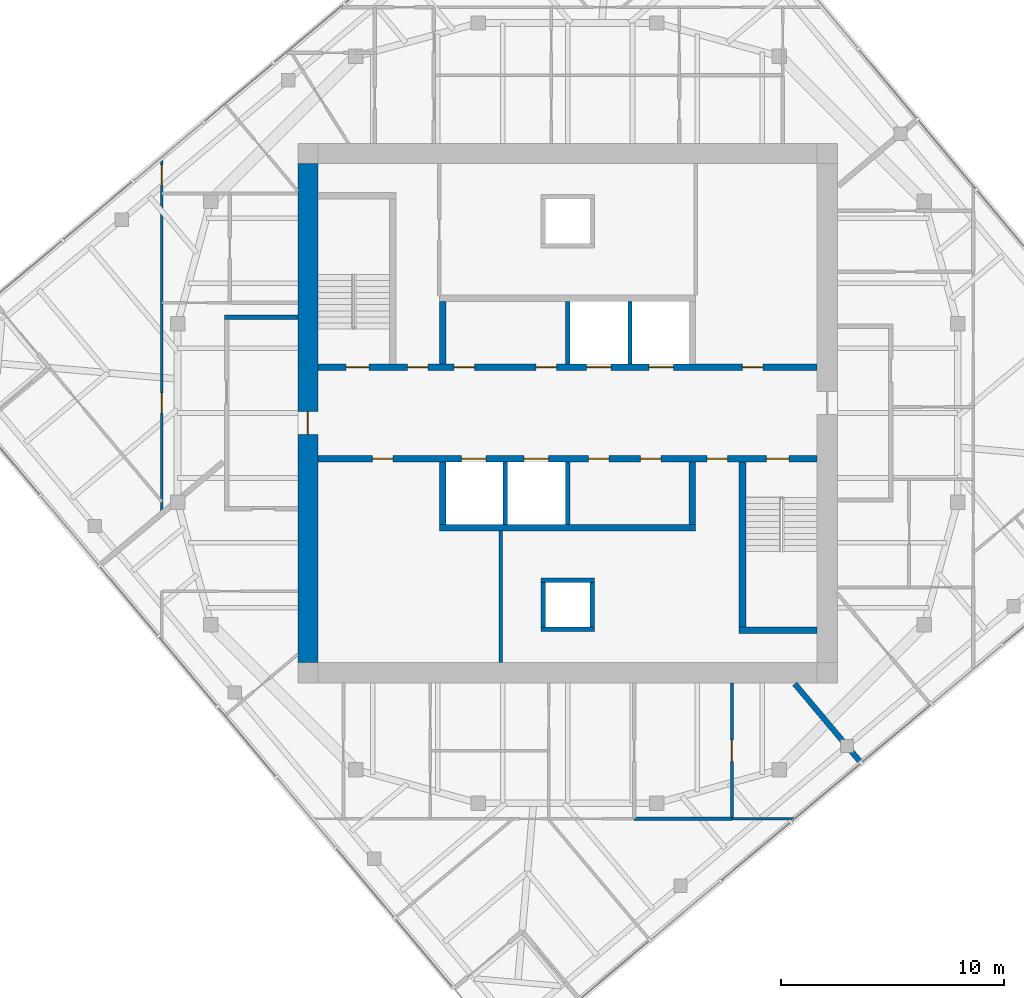
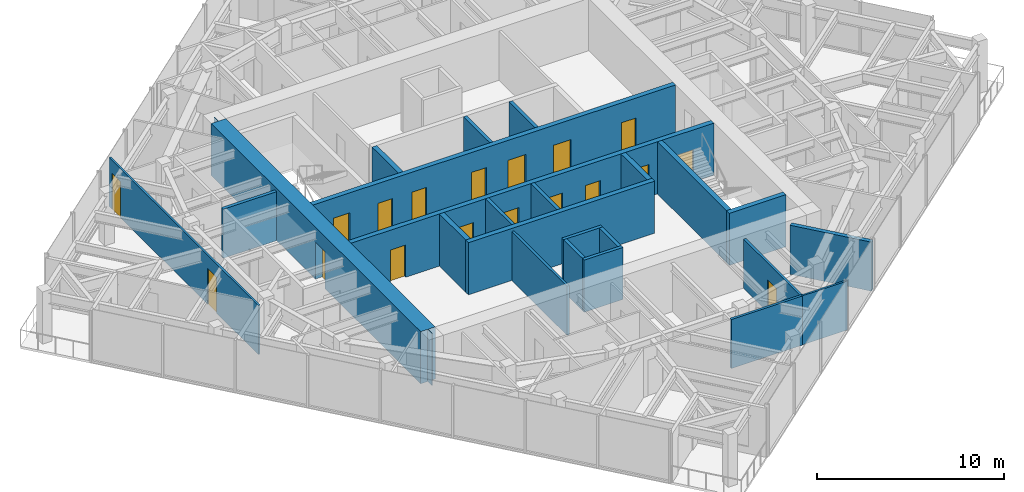
# One storey, part 8 of 12: 24 walls, 18 doors, 18 openings.
"""IFC4 building model written with IfcOpenShell, lengths in metres."""

from ifc_helpers import new_model, si_unit, direction, frame, frame_2d, origin, place, context, subcontext, project, spatial, polyline, rectangle, outline, extrude, material, layer, layer_set, type_object, element, fill, save


model = new_model("IFC4")

# Units and contexts
model_context = context("Model", 3, precision=1e-05, world=origin(), true_north=direction((0.0, 1.0)))
body_context = subcontext(model_context, "Body", "Model", "MODEL_VIEW")
ifc_project = project(units=[si_unit("LENGTHUNIT", "METRE"), si_unit("AREAUNIT", "SQUARE_METRE"), si_unit("VOLUMEUNIT", "CUBIC_METRE"), si_unit("PLANEANGLEUNIT", "RADIAN"), si_unit("MASSUNIT", "GRAM", prefix="KILO")], contexts=[model_context])

# Site, building, storey
site_placement = place(None, origin())
site = spatial("IfcSite", under=ifc_project, at=site_placement, CompositionType="ELEMENT")
building_placement = place(site_placement, origin())
building = spatial("IfcBuilding", under=site, at=building_placement, Name="Torsade Residences", CompositionType="ELEMENT")
storey_placement = place(building_placement, frame((0.0, 0.0, 296.39990234375)))
storey = spatial("IfcBuildingStorey", under=building, at=storey_placement, Name="L82", CompositionType="ELEMENT", Elevation=296.39990234375)

# Wall, openings, doors
ifc_material_1 = material(Name="Concrete 80 MPa", Category="concrete")
ifc_layer_1 = layer(ifc_material_1, 0.300048828125)
ifc_layer_set_1 = layer_set([ifc_layer_1], Name="Concrete 80 MPa")
wall_type_1 = type_object("IfcWallType", Name="CORE INTERNAL WALL 300", PredefinedType="SHEAR", material=ifc_layer_set_1)
wall_1_placement = place(storey_placement, frame((28.800048828125, 32.050048828125, 0.0), z_axis=(0.0, 0.0, 1.0), x_axis=(1.0, 0.0, 0.0)))
wall_1 = element("IfcWall", 1, at=wall_1_placement, inside=storey, type_object=wall_type_1, Name="Core wall LN L82", PredefinedType="SHEAR", context=body_context, shape_type="SweptSolid", body=[
    extrude(rectangle(XDim=22.39990234375, YDim=0.300048828125, at=frame_2d((11.199951171875, 0.0))), origin(), (0.0, 0.0, 1.0), 3.400146484375),
])
opening_1_placement = place(wall_1_placement, frame((19.0400390625, 0.0, 0.0)))
opening_1 = element("IfcOpeningElement", 2, at=opening_1_placement, cuts=wall_1, Name="Opening D06", PredefinedType="OPENING", context=body_context, shape_type="SweptSolid", body=[
    extrude(rectangle(XDim=0.919921875, YDim=2.10009765625, at=frame_2d((0.4599609375, 1.050048828125))), frame((0.0, 0.159912109375, 0.0), z_axis=(0.0, -1.0, 0.0), x_axis=(1.0, 0.0, 0.0)), (0.0, 0.0, 1.0), 0.320068359375),
])
opening_2_placement = place(wall_1_placement, frame((1.264892578125, 0.0, 0.0)))
opening_2 = element("IfcOpeningElement", 3, at=opening_2_placement, cuts=wall_1, Name="Opening D03", PredefinedType="OPENING", context=body_context, shape_type="SweptSolid", body=[
    extrude(rectangle(XDim=1.02001953125, YDim=2.10009765625, at=frame_2d((0.510009765625, 1.050048828125))), frame((0.0, 0.159912109375, 0.0), z_axis=(0.0, -1.0, 0.0), x_axis=(1.0, 0.0, 0.0)), (0.0, 0.0, 1.0), 0.320068359375),
])
opening_3_placement = place(wall_1_placement, frame((4.014892578125, 0.0, 0.0)))
opening_3 = element("IfcOpeningElement", 4, at=opening_3_placement, cuts=wall_1, Name="Opening D06", PredefinedType="OPENING", context=body_context, shape_type="SweptSolid", body=[
    extrude(rectangle(XDim=0.919921875, YDim=2.10009765625, at=frame_2d((0.4599609375, 1.050048828125))), frame((0.0, 0.159912109375, 0.0), z_axis=(0.0, -1.0, 0.0), x_axis=(1.0, 0.0, 0.0)), (0.0, 0.0, 1.0), 0.320068359375),
])
opening_4_placement = place(wall_1_placement, frame((6.114990234375, 0.0, 0.0)))
opening_4 = element("IfcOpeningElement", 5, at=opening_4_placement, cuts=wall_1, Name="Opening D06", PredefinedType="OPENING", context=body_context, shape_type="SweptSolid", body=[
    extrude(rectangle(XDim=0.919921875, YDim=2.10009765625, at=frame_2d((0.4599609375, 1.050048828125))), frame((0.0, 0.159912109375, 0.0), z_axis=(0.0, -1.0, 0.0), x_axis=(1.0, 0.0, 0.0)), (0.0, 0.0, 1.0), 0.320068359375),
])
opening_5_placement = place(wall_1_placement, frame((9.7900390625, 0.0, 0.0)))
opening_5 = element("IfcOpeningElement", 6, at=opening_5_placement, cuts=wall_1, Name="Opening D06", PredefinedType="OPENING", context=body_context, shape_type="SweptSolid", body=[
    extrude(rectangle(XDim=0.919921875, YDim=2.10009765625, at=frame_2d((0.4599609375, 1.050048828125))), frame((0.0, 0.159912109375, 0.0), z_axis=(0.0, -1.0, 0.0), x_axis=(1.0, 0.0, 0.0)), (0.0, 0.0, 1.0), 0.320068359375),
])
opening_6_placement = place(wall_1_placement, frame((12.050048828125, 0.0, 0.0)))
opening_6 = element("IfcOpeningElement", 7, at=opening_6_placement, cuts=wall_1, Name="Opening LD", PredefinedType="OPENING", context=body_context, shape_type="SweptSolid", body=[
    extrude(rectangle(XDim=1.10009765625, YDim=2.10009765625, at=frame_2d((0.550048828125, 1.050048828125))), frame((0.0, 0.159912109375, 0.0), z_axis=(0.0, -1.0, 0.0), x_axis=(1.0, 0.0, 0.0)), (0.0, 0.0, 1.0), 0.320068359375),
])
opening_7_placement = place(wall_1_placement, frame((14.85009765625, 0.0, 0.0)))
opening_7 = element("IfcOpeningElement", 8, at=opening_7_placement, cuts=wall_1, Name="Opening LD", PredefinedType="OPENING", context=body_context, shape_type="SweptSolid", body=[
    extrude(rectangle(XDim=1.10009765625, YDim=2.10009765625, at=frame_2d((0.550048828125, 1.050048828125))), frame((0.0, 0.159912109375, 0.0), z_axis=(0.0, -1.0, 0.0), x_axis=(1.0, 0.0, 0.0)), (0.0, 0.0, 1.0), 0.320068359375),
])
ifc_material_2 = material(Name="Steel-framed fire door", Category="steel")
door_type_1 = type_object("IfcDoorType", Name="FIRE DOOR 1020", OperationType="NOTDEFINED", PredefinedType="DOOR", material=ifc_material_2)
door_1_placement = place(opening_2_placement, origin())
door_1 = element("IfcDoor", 9, at=door_1_placement, inside=storey, type_object=door_type_1, Name="Exit door to fire-isolated stair ST1 L82", OperationType="SINGLE_SWING_RIGHT", OverallHeight=2.10009765625, OverallWidth=1.02001953125, PredefinedType="DOOR", context=body_context, shape_type="SweptSolid", body=[
    extrude(rectangle(XDim=1.02001953125, YDim=2.10009765625, at=frame_2d((0.510009765625, 1.050048828125))), frame((0.0, 0.02490234375, 0.0), z_axis=(0.0, -1.0, 0.0), x_axis=(1.0, 0.0, 0.0)), (0.0, 0.0, 1.0), 0.050048828125),
])
fill(opening_2, door_1)
ifc_material_3 = material(Name="Steel-framed fire door", Category="steel")
door_type_2 = type_object("IfcDoorType", Name="FIRE DOOR 920", OperationType="NOTDEFINED", PredefinedType="DOOR", material=ifc_material_3)
door_2_placement = place(opening_1_placement, origin())
door_2 = element("IfcDoor", 10, at=door_2_placement, inside=storey, type_object=door_type_2, Name="Door Lift lobby to Refuse room", OperationType="SINGLE_SWING_LEFT", OverallHeight=2.10009765625, OverallWidth=0.919921875, PredefinedType="DOOR", context=body_context, shape_type="SweptSolid", body=[
    extrude(rectangle(XDim=0.919921875, YDim=2.10009765625, at=frame_2d((0.4599609375, 1.050048828125))), frame((0.0, 0.02490234375, 0.0), z_axis=(0.0, -1.0, 0.0), x_axis=(1.0, 0.0, 0.0)), (0.0, 0.0, 1.0), 0.050048828125),
])
fill(opening_1, door_2)
door_3_placement = place(opening_3_placement, origin())
door_3 = element("IfcDoor", 11, at=door_3_placement, inside=storey, type_object=door_type_2, Name="Door Lift lobby to Main switchboard store", OperationType="SINGLE_SWING_LEFT", OverallHeight=2.10009765625, OverallWidth=0.919921875, PredefinedType="DOOR", context=body_context, shape_type="SweptSolid", body=[
    extrude(rectangle(XDim=0.919921875, YDim=2.10009765625, at=frame_2d((0.4599609375, 1.050048828125))), frame((0.0, 0.02490234375, 0.0), z_axis=(0.0, -1.0, 0.0), x_axis=(1.0, 0.0, 0.0)), (0.0, 0.0, 1.0), 0.050048828125),
])
fill(opening_3, door_3)
door_4_placement = place(opening_4_placement, origin())
door_4 = element("IfcDoor", 12, at=door_4_placement, inside=storey, type_object=door_type_2, Name="Door Lift lobby to Cleaners store L82A", OperationType="SINGLE_SWING_LEFT", OverallHeight=2.10009765625, OverallWidth=0.919921875, PredefinedType="DOOR", context=body_context, shape_type="SweptSolid", body=[
    extrude(rectangle(XDim=0.919921875, YDim=2.10009765625, at=frame_2d((0.4599609375, 1.050048828125))), frame((0.0, 0.02490234375, 0.0), z_axis=(0.0, -1.0, 0.0), x_axis=(1.0, 0.0, 0.0)), (0.0, 0.0, 1.0), 0.050048828125),
])
fill(opening_4, door_4)
door_5_placement = place(opening_5_placement, origin())
door_5 = element("IfcDoor", 13, at=door_5_placement, inside=storey, type_object=door_type_2, Name="Door Lift lobby to Cleaners store L82A", OperationType="SINGLE_SWING_RIGHT", OverallHeight=2.10009765625, OverallWidth=0.919921875, PredefinedType="DOOR", context=body_context, shape_type="SweptSolid", body=[
    extrude(rectangle(XDim=0.919921875, YDim=2.10009765625, at=frame_2d((0.4599609375, 1.050048828125))), frame((0.0, 0.02490234375, 0.0), z_axis=(0.0, -1.0, 0.0), x_axis=(1.0, 0.0, 0.0)), (0.0, 0.0, 1.0), 0.050048828125),
])
fill(opening_5, door_5)
ifc_material_4 = material(Name="Stainless steel lift landing door", Category="steel")
door_type_3 = type_object("IfcDoorType", Name="LIFT LANDING DOOR 1100", OperationType="SLIDING_TO_LEFT", PredefinedType="DOOR", material=ifc_material_4)
door_6_placement = place(opening_6_placement, origin())
door_6 = element("IfcDoor", 14, at=door_6_placement, inside=storey, type_object=door_type_3, Name="Lift LA3 landing door L82", OperationType="SLIDING_TO_LEFT", OverallHeight=2.10009765625, OverallWidth=1.10009765625, PredefinedType="DOOR", context=body_context, shape_type="SweptSolid", body=[
    extrude(rectangle(XDim=1.10009765625, YDim=2.10009765625, at=frame_2d((0.550048828125, 1.050048828125))), frame((0.0, 0.02490234375, 0.0), z_axis=(0.0, -1.0, 0.0), x_axis=(1.0, 0.0, 0.0)), (0.0, 0.0, 1.0), 0.050048828125),
])
fill(opening_6, door_6)
door_7_placement = place(opening_7_placement, origin())
door_7 = element("IfcDoor", 15, at=door_7_placement, inside=storey, type_object=door_type_3, Name="Lift FL1 landing door L82", OperationType="SLIDING_TO_LEFT", OverallHeight=2.10009765625, OverallWidth=1.10009765625, PredefinedType="DOOR", context=body_context, shape_type="SweptSolid", body=[
    extrude(rectangle(XDim=1.10009765625, YDim=2.10009765625, at=frame_2d((0.550048828125, 1.050048828125))), frame((0.0, 0.02490234375, 0.0), z_axis=(0.0, -1.0, 0.0), x_axis=(1.0, 0.0, 0.0)), (0.0, 0.0, 1.0), 0.050048828125),
])
fill(opening_7, door_7)

wall_2_placement = place(storey_placement, frame((51.199951171875, 27.949951171875, 0.0), z_axis=(0.0, 0.0, 1.0), x_axis=(-1.0, 0.0, 0.0)))
wall_2 = element("IfcWall", 16, at=wall_2_placement, inside=storey, type_object=wall_type_1, Name="Core wall LS L82", PredefinedType="SHEAR", context=body_context, shape_type="SweptSolid", body=[
    extrude(rectangle(XDim=22.39990234375, YDim=0.300048828125, at=frame_2d((11.199951171875, 0.0))), origin(), (0.0, 0.0, 1.0), 3.400146484375),
])
opening_8_placement = place(wall_2_placement, frame((19.0400390625, 0.0, 0.0)))
opening_8 = element("IfcOpeningElement", 17, at=opening_8_placement, cuts=wall_2, Name="Opening D06", PredefinedType="OPENING", context=body_context, shape_type="SweptSolid", body=[
    extrude(rectangle(XDim=0.919921875, YDim=2.10009765625, at=frame_2d((0.4599609375, 1.050048828125))), frame((0.0, 0.159912109375, 0.0), z_axis=(0.0, -1.0, 0.0), x_axis=(1.0, 0.0, 0.0)), (0.0, 0.0, 1.0), 0.320068359375),
])
opening_9_placement = place(wall_2_placement, frame((1.264892578125, 0.0, 0.0)))
opening_9 = element("IfcOpeningElement", 18, at=opening_9_placement, cuts=wall_2, Name="Opening D03", PredefinedType="OPENING", context=body_context, shape_type="SweptSolid", body=[
    extrude(rectangle(XDim=1.02001953125, YDim=2.10009765625, at=frame_2d((0.510009765625, 1.050048828125))), frame((0.0, 0.159912109375, 0.0), z_axis=(0.0, -1.0, 0.0), x_axis=(1.0, 0.0, 0.0)), (0.0, 0.0, 1.0), 0.320068359375),
])
opening_10_placement = place(wall_2_placement, frame((4.014892578125, 0.0, 0.0)))
opening_10 = element("IfcOpeningElement", 19, at=opening_10_placement, cuts=wall_2, Name="Opening D06", PredefinedType="OPENING", context=body_context, shape_type="SweptSolid", body=[
    extrude(rectangle(XDim=0.919921875, YDim=2.10009765625, at=frame_2d((0.4599609375, 1.050048828125))), frame((0.0, 0.159912109375, 0.0), z_axis=(0.0, -1.0, 0.0), x_axis=(1.0, 0.0, 0.0)), (0.0, 0.0, 1.0), 0.320068359375),
])
opening_11_placement = place(wall_2_placement, frame((9.340087890625, 0.0, 0.0)))
opening_11 = element("IfcOpeningElement", 20, at=opening_11_placement, cuts=wall_2, Name="Opening D06", PredefinedType="OPENING", context=body_context, shape_type="SweptSolid", body=[
    extrude(rectangle(XDim=0.919921875, YDim=2.10009765625, at=frame_2d((0.4599609375, 1.050048828125))), frame((0.0, 0.159912109375, 0.0), z_axis=(0.0, -1.0, 0.0), x_axis=(1.0, 0.0, 0.0)), (0.0, 0.0, 1.0), 0.320068359375),
])
opening_12_placement = place(wall_2_placement, frame((7.014892578125, 0.0, 0.0)))
opening_12 = element("IfcOpeningElement", 21, at=opening_12_placement, cuts=wall_2, Name="Opening D06", PredefinedType="OPENING", context=body_context, shape_type="SweptSolid", body=[
    extrude(rectangle(XDim=0.919921875, YDim=2.10009765625, at=frame_2d((0.4599609375, 1.050048828125))), frame((0.0, 0.159912109375, 0.0), z_axis=(0.0, -1.0, 0.0), x_axis=(1.0, 0.0, 0.0)), (0.0, 0.0, 1.0), 0.320068359375),
])
opening_13_placement = place(wall_2_placement, frame((12.050048828125, 0.0, 0.0)))
opening_13 = element("IfcOpeningElement", 22, at=opening_13_placement, cuts=wall_2, Name="Opening LD", PredefinedType="OPENING", context=body_context, shape_type="SweptSolid", body=[
    extrude(rectangle(XDim=1.10009765625, YDim=2.10009765625, at=frame_2d((0.550048828125, 1.050048828125))), frame((0.0, 0.159912109375, 0.0), z_axis=(0.0, -1.0, 0.0), x_axis=(1.0, 0.0, 0.0)), (0.0, 0.0, 1.0), 0.320068359375),
])
opening_14_placement = place(wall_2_placement, frame((14.85009765625, 0.0, 0.0)))
opening_14 = element("IfcOpeningElement", 23, at=opening_14_placement, cuts=wall_2, Name="Opening LD", PredefinedType="OPENING", context=body_context, shape_type="SweptSolid", body=[
    extrude(rectangle(XDim=1.10009765625, YDim=2.10009765625, at=frame_2d((0.550048828125, 1.050048828125))), frame((0.0, 0.159912109375, 0.0), z_axis=(0.0, -1.0, 0.0), x_axis=(1.0, 0.0, 0.0)), (0.0, 0.0, 1.0), 0.320068359375),
])
door_8_placement = place(opening_9_placement, origin())
door_8 = element("IfcDoor", 24, at=door_8_placement, inside=storey, type_object=door_type_1, Name="Exit door to fire-isolated stair ST2 L82", OperationType="SINGLE_SWING_RIGHT", OverallHeight=2.10009765625, OverallWidth=1.02001953125, PredefinedType="DOOR", context=body_context, shape_type="SweptSolid", body=[
    extrude(rectangle(XDim=1.02001953125, YDim=2.10009765625, at=frame_2d((0.510009765625, 1.050048828125))), frame((0.0, 0.02490234375, 0.0), z_axis=(0.0, -1.0, 0.0), x_axis=(1.0, 0.0, 0.0)), (0.0, 0.0, 1.0), 0.050048828125),
])
fill(opening_9, door_8)
door_9_placement = place(opening_8_placement, origin())
door_9 = element("IfcDoor", 25, at=door_9_placement, inside=storey, type_object=door_type_2, Name="Door Lift lobby to Cleaner store", OperationType="SINGLE_SWING_LEFT", OverallHeight=2.10009765625, OverallWidth=0.919921875, PredefinedType="DOOR", context=body_context, shape_type="SweptSolid", body=[
    extrude(rectangle(XDim=0.919921875, YDim=2.10009765625, at=frame_2d((0.4599609375, 1.050048828125))), frame((0.0, 0.02490234375, 0.0), z_axis=(0.0, -1.0, 0.0), x_axis=(1.0, 0.0, 0.0)), (0.0, 0.0, 1.0), 0.050048828125),
])
fill(opening_8, door_9)
door_10_placement = place(opening_10_placement, origin())
door_10 = element("IfcDoor", 26, at=door_10_placement, inside=storey, type_object=door_type_2, Name="Door Lift lobby to Communications riser room", OperationType="SINGLE_SWING_RIGHT", OverallHeight=2.10009765625, OverallWidth=0.919921875, PredefinedType="DOOR", context=body_context, shape_type="SweptSolid", body=[
    extrude(rectangle(XDim=0.919921875, YDim=2.10009765625, at=frame_2d((0.4599609375, 1.050048828125))), frame((0.0, 0.02490234375, 0.0), z_axis=(0.0, -1.0, 0.0), x_axis=(1.0, 0.0, 0.0)), (0.0, 0.0, 1.0), 0.050048828125),
])
fill(opening_10, door_10)
door_11_placement = place(opening_11_placement, origin())
door_11 = element("IfcDoor", 27, at=door_11_placement, inside=storey, type_object=door_type_2, Name="Door Lift lobby to Residents storage L82B", OperationType="SINGLE_SWING_RIGHT", OverallHeight=2.10009765625, OverallWidth=0.919921875, PredefinedType="DOOR", context=body_context, shape_type="SweptSolid", body=[
    extrude(rectangle(XDim=0.919921875, YDim=2.10009765625, at=frame_2d((0.4599609375, 1.050048828125))), frame((0.0, 0.02490234375, 0.0), z_axis=(0.0, -1.0, 0.0), x_axis=(1.0, 0.0, 0.0)), (0.0, 0.0, 1.0), 0.050048828125),
])
fill(opening_11, door_11)
door_12_placement = place(opening_12_placement, origin())
door_12 = element("IfcDoor", 28, at=door_12_placement, inside=storey, type_object=door_type_2, Name="Door Lift lobby to Residents storage L82B", OperationType="SINGLE_SWING_RIGHT", OverallHeight=2.10009765625, OverallWidth=0.919921875, PredefinedType="DOOR", context=body_context, shape_type="SweptSolid", body=[
    extrude(rectangle(XDim=0.919921875, YDim=2.10009765625, at=frame_2d((0.4599609375, 1.050048828125))), frame((0.0, 0.02490234375, 0.0), z_axis=(0.0, -1.0, 0.0), x_axis=(1.0, 0.0, 0.0)), (0.0, 0.0, 1.0), 0.050048828125),
])
fill(opening_12, door_12)
door_13_placement = place(opening_13_placement, origin())
door_13 = element("IfcDoor", 29, at=door_13_placement, inside=storey, type_object=door_type_3, Name="Lift LB3 landing door L82", OperationType="SLIDING_TO_LEFT", OverallHeight=2.10009765625, OverallWidth=1.10009765625, PredefinedType="DOOR", context=body_context, shape_type="SweptSolid", body=[
    extrude(rectangle(XDim=1.10009765625, YDim=2.10009765625, at=frame_2d((0.550048828125, 1.050048828125))), frame((0.0, 0.02490234375, 0.0), z_axis=(0.0, -1.0, 0.0), x_axis=(1.0, 0.0, 0.0)), (0.0, 0.0, 1.0), 0.050048828125),
])
fill(opening_13, door_13)
door_14_placement = place(opening_14_placement, origin())
door_14 = element("IfcDoor", 30, at=door_14_placement, inside=storey, type_object=door_type_3, Name="Lift FL2 landing door L82", OperationType="SLIDING_TO_LEFT", OverallHeight=2.10009765625, OverallWidth=1.10009765625, PredefinedType="DOOR", context=body_context, shape_type="SweptSolid", body=[
    extrude(rectangle(XDim=1.10009765625, YDim=2.10009765625, at=frame_2d((0.550048828125, 1.050048828125))), frame((0.0, 0.02490234375, 0.0), z_axis=(0.0, -1.0, 0.0), x_axis=(1.0, 0.0, 0.0)), (0.0, 0.0, 1.0), 0.050048828125),
])
fill(opening_14, door_14)

# Walls
wall_3_placement = place(storey_placement, frame((45.75, 24.85009765625, 0.0), z_axis=(0.0, 0.0, 1.0), x_axis=(-1.0, 0.0, 0.0)))
element("IfcWall", 31, at=wall_3_placement, inside=storey, type_object=wall_type_1, Name="Core wall BS L82", PredefinedType="SHEAR", context=body_context, shape_type="SweptSolid", body=[
    extrude(rectangle(XDim=11.5, YDim=0.300048828125, at=frame_2d((5.75, 0.0))), origin(), (0.0, 0.0, 1.0), 3.400146484375),
])
for number, where, z_axis, x_axis, name in (
    (32, (34.39990234375, 32.199951171875, 0.0), (0.0, 0.0, 1.0), (0.0, 1.0, 0.0), "Core wall DN0 L82"),
    (33, (45.60009765625, 27.800048828125, 0.0), (0.0, 0.0, 1.0), (0.0, -1.0, 0.0), "Core wall DS0 L82"),
    (34, (34.39990234375, 27.800048828125, 0.0), (0.0, 0.0, 1.0), (0.0, -1.0, 0.0), "Core wall DS4 L82"),
):
    element("IfcWall", number, at=place(storey_placement, frame(where, z_axis=z_axis, x_axis=x_axis)), inside=storey, type_object=wall_type_1, Name=name, PredefinedType="SHEAR", context=body_context, shape_type="SweptSolid", body=[
        extrude(rectangle(XDim=2.800048828125, YDim=0.300048828125, at=frame_2d((1.39990234375, 0.0))), origin(), (0.0, 0.0, 1.0), 3.400146484375),
    ])
wall_4_placement = place(storey_placement, frame((47.85009765625, 27.800048828125, 0.0), z_axis=(0.0, 0.0, 1.0), x_axis=(0.0, -1.0, 0.0)))
element("IfcWall", 35, at=wall_4_placement, inside=storey, type_object=wall_type_1, Name="Core wall ST2W L82", PredefinedType="SHEAR", context=body_context, shape_type="SweptSolid", body=[
    extrude(rectangle(XDim=7.699951171875, YDim=0.300048828125, at=frame_2d((3.85009765625, 0.0))), origin(), (0.0, 0.0, 1.0), 3.400146484375),
])
wall_5_placement = place(storey_placement, frame((51.199951171875, 20.25, 0.0), z_axis=(0.0, 0.0, 1.0), x_axis=(-1.0, 0.0, 0.0)))
element("IfcWall", 36, at=wall_5_placement, inside=storey, type_object=wall_type_1, Name="Core wall ST2S L82", PredefinedType="SHEAR", context=body_context, shape_type="SweptSolid", body=[
    extrude(rectangle(XDim=3.5, YDim=0.300048828125, at=frame_2d((1.75, 0.0))), origin(), (0.0, 0.0, 1.0), 3.400146484375),
])

# Wall, opening, door
ifc_material_5 = material(Name="Concrete 80 MPa", Category="concrete")
ifc_layer_2 = layer(ifc_material_5, 0.89990234375)
ifc_layer_set_2 = layer_set([ifc_layer_2], Name="Concrete 80 MPa")
wall_type_2 = type_object("IfcWallType", Name="CORE WALL 900", PredefinedType="SHEAR", material=ifc_layer_set_2)
wall_6_placement = place(storey_placement, frame((28.35009765625, 41.199951171875, 0.0), z_axis=(0.0, 0.0, 1.0), x_axis=(0.0, -1.0, 0.0)))
wall_6 = element("IfcWall", 37, at=wall_6_placement, inside=storey, type_object=wall_type_2, Name="Core wall W L82", PredefinedType="SHEAR", context=body_context, shape_type="SweptSolid", body=[
    extrude(outline(polyline([(0.0, -0.449951171875), (22.39990234375, -0.449951171875), (22.39990234375, -0.02490234375), (22.849853515625, -0.02490234375), (22.849853515625, 0.02490234375), (22.39990234375, 0.02490234375), (22.39990234375, 0.449951171875), (0.0, 0.449951171875), (0.0, 0.02490234375), (-0.449951171875, 0.02490234375), (-0.449951171875, -0.02490234375), (0.0, -0.02490234375), (0.0, -0.449951171875)])), origin(), (0.0, 0.0, 1.0), 3.400146484375),
])
opening_15_placement = place(wall_6_placement, frame((11.139892578125, 0.0, 0.0)))
opening_15 = element("IfcOpeningElement", 38, at=opening_15_placement, cuts=wall_6, Name="Opening D04", PredefinedType="OPENING", context=body_context, shape_type="SweptSolid", body=[
    extrude(rectangle(XDim=1.02001953125, YDim=2.39990234375, at=frame_2d((0.510009765625, 1.199951171875))), frame((0.0, 0.4599609375, 0.0), z_axis=(0.0, -1.0, 0.0), x_axis=(1.0, 0.0, 0.0)), (0.0, 0.0, 1.0), 0.919921875),
])
ifc_material_6 = material(Name="Steel-framed fire door", Category="steel")
door_type_4 = type_object("IfcDoorType", Name="LOBBY SMOKE DOOR 1020x2400", OperationType="NOTDEFINED", PredefinedType="DOOR", material=ifc_material_6)
door_15_placement = place(opening_15_placement, origin())
door_15 = element("IfcDoor", 39, at=door_15_placement, inside=storey, type_object=door_type_4, Name="Lift lobby door W L82", OperationType="SINGLE_SWING_RIGHT", OverallHeight=2.39990234375, OverallWidth=1.02001953125, PredefinedType="DOOR", context=body_context, shape_type="SweptSolid", body=[
    extrude(rectangle(XDim=1.02001953125, YDim=2.39990234375, at=frame_2d((0.510009765625, 1.199951171875))), frame((0.0, 0.02490234375, 0.0), z_axis=(0.0, -1.0, 0.0), x_axis=(1.0, 0.0, 0.0)), (0.0, 0.0, 1.0), 0.050048828125),
])
fill(opening_15, door_15)

# Walls
ifc_material_7 = material(Name="Plasterboard on steel stud", Category="steel")
ifc_layer_3 = layer(ifc_material_7, 0.199951171875)
ifc_layer_set_3 = layer_set([ifc_layer_3], Name="Plasterboard on steel stud")
wall_type_3 = type_object("IfcWallType", Name="CORRIDOR WALL 200", PredefinedType="PARTITIONING", material=ifc_layer_set_3)
wall_7_placement = place(storey_placement, frame((27.89990234375, 34.300048828125, 0.0), z_axis=(0.0, 0.0, 1.0), x_axis=(-1.0, 0.0, 0.0)))
element("IfcWall", 40, at=wall_7_placement, inside=storey, type_object=wall_type_3, Name="Corridor wall L82", PredefinedType="PARTITIONING", context=body_context, shape_type="SweptSolid", body=[
    extrude(rectangle(XDim=3.2998046875, YDim=0.199951171875, at=frame_2d((1.64990234375, 0.0))), origin(), (0.0, 0.0, 1.0), 3.2001953125),
])
ifc_material_8 = material(Name="Reinforced blockwork", Category="masonry")
ifc_layer_4 = layer(ifc_material_8, 0.199951171875)
ifc_layer_set_4 = layer_set([ifc_layer_4], Name="Reinforced blockwork")
wall_type_4 = type_object("IfcWallType", Name="LIFT SHAFT DIVIDING WALL 200", PredefinedType="SOLIDWALL", material=ifc_layer_set_4)
for number, where, z_axis, x_axis, name in (
    (41, (40.0, 32.199951171875, 0.0), (0.0, 0.0, 1.0), (0.0, 1.0, 0.0), "Core wall DN2 L82"),
    (42, (40.0, 27.800048828125, 0.0), (0.0, 0.0, 1.0), (0.0, -1.0, 0.0), "Core wall DS2 L82"),
    (43, (42.800048828125, 32.199951171875, 0.0), (0.0, 0.0, 1.0), (0.0, 1.0, 0.0), "Core wall DN3 L82"),
    (44, (37.199951171875, 27.800048828125, 0.0), (0.0, 0.0, 1.0), (0.0, -1.0, 0.0), "Core wall DS3 L82"),
):
    element("IfcWall", number, at=place(storey_placement, frame(where, z_axis=z_axis, x_axis=x_axis)), inside=storey, type_object=wall_type_4, Name=name, PredefinedType="SOLIDWALL", context=body_context, shape_type="SweptSolid", body=[
        extrude(rectangle(XDim=2.800048828125, YDim=0.199951171875, at=frame_2d((1.39990234375, 0.0))), origin(), (0.0, 0.0, 1.0), 3.400146484375),
    ])
ifc_material_9 = material(Name="Plasterboard on steel stud", Category="steel")
ifc_layer_5 = layer(ifc_material_9, 0.1201171875)
ifc_layer_set_5 = layer_set([ifc_layer_5], Name="Plasterboard on steel stud")
wall_type_5 = type_object("IfcWallType", Name="PARTITION 120", PredefinedType="PARTITIONING", material=ifc_layer_set_5)
wall_8_placement = place(storey_placement, frame((50.162353515625, 11.800048828125, 0.0), z_axis=(0.0, 0.0, 1.0), x_axis=(-1.0, 0.0, 0.0)))
element("IfcWall", 45, at=wall_8_placement, inside=storey, type_object=wall_type_5, Name="Partition L82", PredefinedType="PARTITIONING", context=body_context, shape_type="SweptSolid", body=[
    extrude(rectangle(XDim=2.78857421875, YDim=0.1201171875, at=frame_2d((1.394287109375, 0.0))), origin(), (0.0, 0.0, 1.0), 3.2001953125),
])

# Wall, openings, doors
wall_9_placement = place(storey_placement, frame((21.800048828125, 25.498046875, 0.0), z_axis=(0.0, 0.0, 1.0), x_axis=(0.0, 1.0, 0.0)))
wall_9 = element("IfcWall", 46, at=wall_9_placement, inside=storey, type_object=wall_type_5, Name="Partition L82", PredefinedType="PARTITIONING", context=body_context, shape_type="SweptSolid", body=[
    extrude(rectangle(XDim=15.93896484375, YDim=0.1201171875, at=frame_2d((7.969482421875, 0.0))), origin(), (0.0, 0.0, 1.0), 3.2001953125),
])
opening_16_placement = place(wall_9_placement, frame((4.48583984375, 0.0, 0.0)))
opening_16 = element("IfcOpeningElement", 47, at=opening_16_placement, cuts=wall_9, Name="Opening D02", PredefinedType="OPENING", context=body_context, shape_type="SweptSolid", body=[
    extrude(rectangle(XDim=0.919921875, YDim=2.340087890625, at=frame_2d((0.4599609375, 1.169921875))), frame((0.0, 0.070068359375, 0.0), z_axis=(0.0, -1.0, 0.0), x_axis=(1.0, 0.0, 0.0)), (0.0, 0.0, 1.0), 0.14013671875),
])
opening_17_placement = place(wall_9_placement, frame((14.712646484375, 0.0, 0.0)))
opening_17 = element("IfcOpeningElement", 48, at=opening_17_placement, cuts=wall_9, Name="Opening D02", PredefinedType="OPENING", context=body_context, shape_type="SweptSolid", body=[
    extrude(rectangle(XDim=0.919921875, YDim=2.340087890625, at=frame_2d((0.4599609375, 1.169921875))), frame((0.0, 0.070068359375, 0.0), z_axis=(0.0, -1.0, 0.0), x_axis=(1.0, 0.0, 0.0)), (0.0, 0.0, 1.0), 0.14013671875),
])
ifc_material_10 = material(Name="Hollow-core timber door", Category="wood")
door_type_5 = type_object("IfcDoorType", Name="INTERNAL DOOR 920x2340", OperationType="NOTDEFINED", PredefinedType="DOOR", material=ifc_material_10)
door_16_placement = place(opening_16_placement, origin())
door_16 = element("IfcDoor", 49, at=door_16_placement, inside=storey, type_object=door_type_5, Name="Door Kitchen and dining to Living room", OperationType="SINGLE_SWING_RIGHT", OverallHeight=2.340087890625, OverallWidth=0.919921875, PredefinedType="DOOR", context=body_context, shape_type="SweptSolid", body=[
    extrude(rectangle(XDim=0.919921875, YDim=2.340087890625, at=frame_2d((0.4599609375, 1.169921875))), frame((0.0, 0.02490234375, 0.0), z_axis=(0.0, -1.0, 0.0), x_axis=(1.0, 0.0, 0.0)), (0.0, 0.0, 1.0), 0.050048828125),
])
fill(opening_16, door_16)
door_17_placement = place(opening_17_placement, origin())
door_17 = element("IfcDoor", 50, at=door_17_placement, inside=storey, type_object=door_type_5, Name="Door Living room to Dressing room 2", OperationType="SINGLE_SWING_RIGHT", OverallHeight=2.340087890625, OverallWidth=0.919921875, PredefinedType="DOOR", context=body_context, shape_type="SweptSolid", body=[
    extrude(rectangle(XDim=0.919921875, YDim=2.340087890625, at=frame_2d((0.4599609375, 1.169921875))), frame((0.0, 0.02490234375, 0.0), z_axis=(0.0, -1.0, 0.0), x_axis=(1.0, 0.0, 0.0)), (0.0, 0.0, 1.0), 0.050048828125),
])
fill(opening_17, door_17)

# Walls
ifc_material_11 = material(Name="Masonry-lined stud party wall", Category="masonry")
ifc_layer_6 = layer(ifc_material_11, 0.25)
ifc_layer_set_6 = layer_set([ifc_layer_6], Name="Masonry-lined stud party wall")
wall_type_6 = type_object("IfcWallType", Name="PARTY WALL 250", PredefinedType="PARTITIONING", material=ifc_layer_set_6)
wall_10_placement = place(storey_placement, frame((53.17724609375, 14.296142578125, 0.0), z_axis=(0.0, 0.0, 1.0), x_axis=(-0.64279957712, 0.76603440109, 0.0)))
element("IfcWall", 51, at=wall_10_placement, inside=storey, type_object=wall_type_6, Name="Party wall L82", PredefinedType="PARTITIONING", context=body_context, shape_type="SweptSolid", body=[
    extrude(rectangle(XDim=4.6396484375, YDim=0.25, at=frame_2d((2.31982421875, 0.0))), origin(), (0.0, 0.0, 1.0), 3.2001953125),
])
ifc_material_12 = material(Name="Reinforced blockwork", Category="masonry")
ifc_layer_7 = layer(ifc_material_12, 0.199951171875)
ifc_layer_set_7 = layer_set([ifc_layer_7], Name="Reinforced blockwork")
wall_type_7 = type_object("IfcWallType", Name="RISER SHAFT WALL 200", PredefinedType="SOLIDWALL", material=ifc_layer_set_7)
for number, where, z_axis, x_axis, name in (
    (52, (38.89990234375, 22.39990234375, 0.0), (0.0, 0.0, 1.0), (0.0, -1.0, 0.0), "Core wall RS2a L82"),
    (53, (41.10009765625, 22.39990234375, 0.0), (0.0, 0.0, 1.0), (0.0, -1.0, 0.0), "Core wall RS2b L82"),
):
    element("IfcWall", number, at=place(storey_placement, frame(where, z_axis=z_axis, x_axis=x_axis)), inside=storey, type_object=wall_type_7, Name=name, PredefinedType="SOLIDWALL", context=body_context, shape_type="SweptSolid", body=[
        extrude(rectangle(XDim=2.0, YDim=0.199951171875, at=frame_2d((1.0, 0.0))), origin(), (0.0, 0.0, 1.0), 3.400146484375),
    ])
for number, where, z_axis, x_axis, name in (
    (54, (38.800048828125, 22.5, 0.0), (0.0, 0.0, 1.0), (1.0, 0.0, 0.0), "Core wall RS2c L82"),
    (55, (38.800048828125, 20.300048828125, 0.0), (0.0, 0.0, 1.0), (1.0, 0.0, 0.0), "Core wall RS2d L82"),
):
    element("IfcWall", number, at=place(storey_placement, frame(where, z_axis=z_axis, x_axis=x_axis)), inside=storey, type_object=wall_type_7, Name=name, PredefinedType="SOLIDWALL", context=body_context, shape_type="SweptSolid", body=[
        extrude(rectangle(XDim=2.39990234375, YDim=0.199951171875, at=frame_2d((1.199951171875, 0.0))), origin(), (0.0, 0.0, 1.0), 3.400146484375),
    ])
ifc_material_13 = material(Name="Reinforced blockwork", Category="masonry")
ifc_layer_8 = layer(ifc_material_13, 0.14990234375)
ifc_layer_set_8 = layer_set([ifc_layer_8], Name="Reinforced blockwork")
wall_type_8 = type_object("IfcWallType", Name="SERVICE ROOM WALL 150", PredefinedType="SOLIDWALL", material=ifc_layer_set_8)
wall_11_placement = place(storey_placement, frame((37.0, 18.800048828125, 0.0), z_axis=(0.0, 0.0, 1.0), x_axis=(0.0, 1.0, 0.0)))
element("IfcWall", 56, at=wall_11_placement, inside=storey, type_object=wall_type_8, Name="Service room wall L82", PredefinedType="SOLIDWALL", context=body_context, shape_type="SweptSolid", body=[
    extrude(rectangle(XDim=5.89990234375, YDim=0.14990234375, at=frame_2d((2.949951171875, 0.0))), origin(), (0.0, 0.0, 1.0), 3.2001953125),
])

# Wall, opening, door
wall_12_placement = place(storey_placement, frame((47.373779296875, 11.800048828125, 0.0), z_axis=(0.0, 0.0, 1.0), x_axis=(0.0, 1.0, 0.0)))
wall_12 = element("IfcWall", 57, at=wall_12_placement, inside=storey, type_object=wall_type_8, Name="Service room wall L82", PredefinedType="SOLIDWALL", context=body_context, shape_type="SweptSolid", body=[
    extrude(rectangle(XDim=6.099853515625, YDim=0.14990234375, at=frame_2d((3.0498046875, 0.0))), origin(), (0.0, 0.0, 1.0), 3.2001953125),
])
opening_18_placement = place(wall_12_placement, frame((2.570068359375, 0.0, 0.0)))
opening_18 = element("IfcOpeningElement", 58, at=opening_18_placement, cuts=wall_12, Name="Opening D05", PredefinedType="OPENING", context=body_context, shape_type="SweptSolid", body=[
    extrude(rectangle(XDim=0.9599609375, YDim=2.10009765625, at=frame_2d((0.47998046875, 1.050048828125))), frame((0.0, 0.0849609375, 0.0), z_axis=(0.0, -1.0, 0.0), x_axis=(1.0, 0.0, 0.0)), (0.0, 0.0, 1.0), 0.169921875),
])
ifc_material_14 = material(Name="Hollow-core timber door in a steel cavity frame", Category="steel")
door_type_6 = type_object("IfcDoorType", Name="BATHROOM CAVITY SLIDING DOOR 960", OperationType="SLIDING_TO_LEFT", PredefinedType="DOOR", material=ifc_material_14)
door_18_placement = place(opening_18_placement, origin())
door_18 = element("IfcDoor", 59, at=door_18_placement, inside=storey, type_object=door_type_6, Name="Door Linen store to Laundry 2", OperationType="SLIDING_TO_LEFT", OverallHeight=2.10009765625, OverallWidth=0.9599609375, PredefinedType="DOOR", context=body_context, shape_type="SweptSolid", body=[
    extrude(rectangle(XDim=0.9599609375, YDim=2.10009765625, at=frame_2d((0.47998046875, 1.050048828125))), frame((0.0, 0.02490234375, 0.0), z_axis=(0.0, -1.0, 0.0), x_axis=(1.0, 0.0, 0.0)), (0.0, 0.0, 1.0), 0.050048828125),
])
fill(opening_18, door_18)

# Wall
wall_13_placement = place(storey_placement, frame((47.373779296875, 11.800048828125, 0.0), z_axis=(0.0, 0.0, 1.0), x_axis=(-1.0, 0.0, 0.0)))
element("IfcWall", 60, at=wall_13_placement, inside=storey, type_object=wall_type_8, Name="Service room wall L82", PredefinedType="SOLIDWALL", context=body_context, shape_type="SweptSolid", body=[
    extrude(rectangle(XDim=4.38818359375, YDim=0.14990234375, at=frame_2d((2.194091796875, 0.0))), origin(), (0.0, 0.0, 1.0), 3.2001953125),
])

save(model, "model.ifc")
